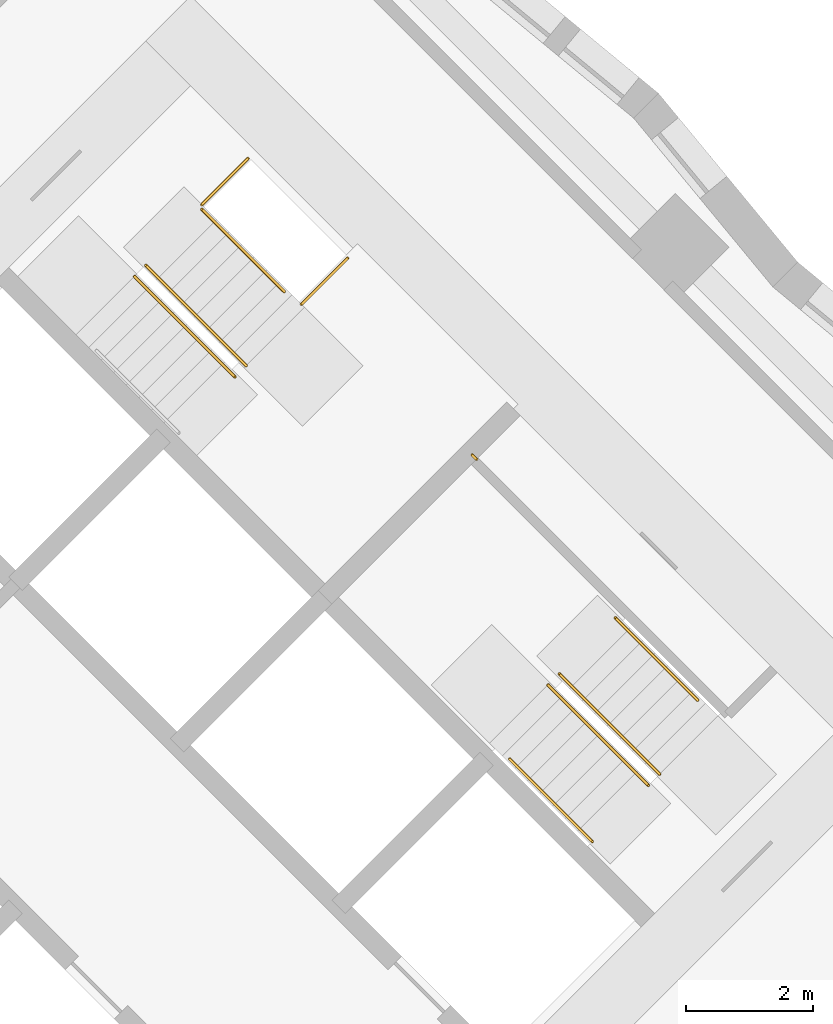
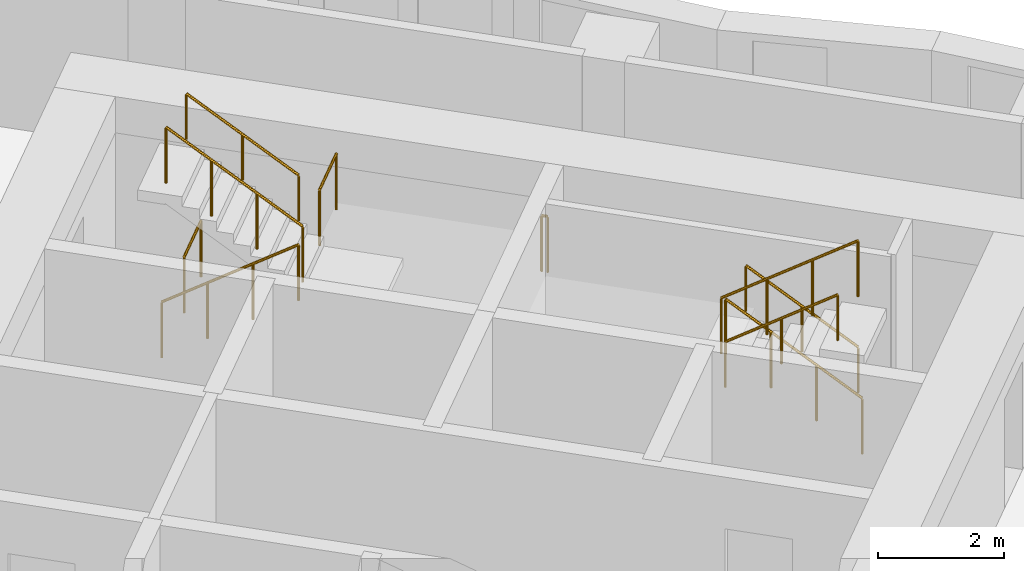
# One storey, part 13 of 13: 10 railings.
"""IFC4 building model written with IfcOpenShell, lengths in metres."""

import ifcopenshell
import ifcopenshell.guid

model = None  # the IFC model being written
_history = None  # IfcOwnerHistory: only IFC2X3 demands one
_inside = {}  # id of a spatial element -> (the spatial element, [elements in it])
_under = {}  # id of a project, library or spatial element -> (it, [spatial elements below it])
_declared = {}  # id of a project -> (the project, [libraries it declares])
_typed = {}  # id of a type object -> (the type object, [elements of that type])
_made_of = {}  # id of a material, layer set ... -> (it, [elements and type objects made of it])


def new_model(schema):
    """Start an empty IFC model of exactly this schema.

    Asked for "IFC4X3", IfcOpenShell would pick the latest addendum, in which some entities
    have other attributes; the version numbers below select the first issue.
    IFC2X3 requires an IfcOwnerHistory on every rooted entity: one is made here for all.
    """
    global model, _history
    if schema == "IFC4X3":
        model = ifcopenshell.file(schema_version=(4, 3, 0, 0))
    else:
        model = ifcopenshell.file(schema=schema)
    _inside.clear()
    _under.clear()
    _declared.clear()
    _typed.clear()
    _made_of.clear()
    _history = None
    if model.schema == "IFC2X3":
        org = make("IfcOrganization", Name="unknown")
        user = make(
            "IfcPersonAndOrganization",
            ThePerson=make("IfcPerson", FamilyName="unknown"),
            TheOrganization=org,
        )
        app = make(
            "IfcApplication",
            ApplicationDeveloper=org,
            Version="unknown",
            ApplicationFullName="unknown",
            ApplicationIdentifier="unknown",
        )
        _history = make(
            "IfcOwnerHistory",
            OwningUser=user,
            OwningApplication=app,
            ChangeAction="ADDED",
            CreationDate=0,
        )
    return model


def make(cls, **values):
    """One entity of the class cls with the attributes given. An attribute that is None is left unset."""
    return model.create_entity(
        cls, **{name: value for name, value in values.items() if value is not None}
    )


def rooted(cls, **values):
    """An entity with a GlobalId (a new one), such as an element, a storey or a relation."""
    return make(cls, GlobalId=ifcopenshell.guid.new(), OwnerHistory=_history, **values)


def si_unit(unit_type, name, prefix=None):
    """IfcSIUnit, for example si_unit("LENGTHUNIT", "METRE", prefix="MILLI")."""
    return make("IfcSIUnit", UnitType=unit_type, Prefix=prefix, Name=name)


def assignment(units):
    """IfcUnitAssignment: the units of a project."""
    return None if units is None else make("IfcUnitAssignment", Units=units)


def point(xyz):
    """IfcCartesianPoint."""
    return None if xyz is None else make("IfcCartesianPoint", Coordinates=xyz)


def direction(xyz):
    """IfcDirection."""
    return None if xyz is None else make("IfcDirection", DirectionRatios=xyz)


def frame(location, z_axis=None, x_axis=None):
    """IfcAxis2Placement3D, a coordinate frame: its origin and axes. An axis left out is left unset."""
    return make(
        "IfcAxis2Placement3D",
        Location=point(location),
        Axis=direction(z_axis),
        RefDirection=direction(x_axis),
    )


def frame_2d(location, x_axis=None):
    """IfcAxis2Placement2D, a coordinate frame in the plane: its origin and x axis."""
    return make(
        "IfcAxis2Placement2D", Location=point(location), RefDirection=direction(x_axis)
    )


def origin():
    """The frame at (0, 0, 0) with its axes left unset."""
    return frame((0.0, 0.0, 0.0))


def origin_2d():
    """The frame at (0, 0) in the plane with its x axis left unset."""
    return frame_2d((0.0, 0.0))


def place(relative_to, where):
    """IfcLocalPlacement: puts the frame where relative to a parent placement (None: the world)."""
    return make(
        "IfcLocalPlacement", PlacementRelTo=relative_to, RelativePlacement=where
    )


def context(
    kind, dimensions, precision=None, world=None, true_north=None, identifier=None
):
    """IfcGeometricRepresentationContext, for example the 3D "Model" context."""
    return make(
        "IfcGeometricRepresentationContext",
        ContextIdentifier=identifier,
        ContextType=kind,
        CoordinateSpaceDimension=dimensions,
        Precision=precision,
        WorldCoordinateSystem=world,
        TrueNorth=true_north,
    )


def subcontext(parent, identifier, kind, view, scale=None):
    """IfcGeometricRepresentationSubContext, for example "Body" below "Model"."""
    return make(
        "IfcGeometricRepresentationSubContext",
        ContextIdentifier=identifier,
        ContextType=kind,
        ParentContext=parent,
        TargetScale=scale,
        TargetView=view,
    )


def project(units=None, contexts=None):
    """IfcProject with its units and contexts."""
    return rooted(
        "IfcProject",
        Name="project",
        RepresentationContexts=contexts,
        UnitsInContext=assignment(units),
    )


def spatial(cls, under=None, at=None, **own):
    """A site, building, storey or space (cls), placed at a placement, below another one or the project."""
    s = rooted(cls, ObjectPlacement=at, **own)
    if under is not None:
        _under.setdefault(under.id(), (under, []))[1].append(s)
    return s


def profile(cls, at=None, kind="AREA", **sizes):
    """A parametric profile (cls). Its sizes go by their IFC names, for example OverallWidth=200.0."""
    return make(cls, ProfileType=kind, Position=at, **sizes)


def circle(**sizes):
    """IfcCircleProfileDef."""
    return profile("IfcCircleProfileDef", **sizes)


def extrude(swept, where, along, depth):
    """IfcExtrudedAreaSolid: the profile swept, set in the frame where, extruded along a direction by depth."""
    return make(
        "IfcExtrudedAreaSolid",
        SweptArea=swept,
        Position=where,
        ExtrudedDirection=direction(along),
        Depth=depth,
    )


def shape(context_of_items, identifier, shape_type, items):
    """IfcShapeRepresentation: the items that make up one representation, for example the "Body"."""
    return make(
        "IfcShapeRepresentation",
        ContextOfItems=context_of_items,
        RepresentationIdentifier=identifier,
        RepresentationType=shape_type,
        Items=items,
    )


def material(Name=None, Category=None):
    """IfcMaterial."""
    return make("IfcMaterial", Name=Name, Category=Category)


def made_of(thing, what):
    """Note that an element or type object is made of a material, layer set ...; save() writes the relation."""
    if what is not None:
        _made_of.setdefault(what.id(), (what, []))[1].append(thing)
    return thing


def type_object(cls, material=None, **own):
    """A type object (cls), such as IfcWallType, which elements share."""
    return made_of(rooted(cls, **own), material)


def element(
    cls,
    number,
    at=None,
    inside=None,
    cuts=None,
    type_object=None,
    material=None,
    context=None,
    identifier="Body",
    shape_type=None,
    held_by="IfcProductDefinitionShape",
    body=None,
    shapes=None,
    **own,
):
    """One element of the class cls, such as IfcWall. Its Tag is "e" and its number.

    at: its placement. inside: the storey or other place that contains it. cuts: it is an
    opening in that element (IfcRelVoidsElement). A single representation is given by context,
    identifier, shape_type and body (its items); several are given by shapes. held_by: the class
    of the entity that holds the representations. save() writes the other relations.
    """
    e = rooted(cls, Tag="e%d" % number, ObjectPlacement=at, **own)
    if body is not None:
        shapes = [shape(context, identifier, shape_type, body)]
    if shapes is not None:
        e.Representation = make(held_by, Representations=shapes)
    if inside is not None:
        _inside.setdefault(inside.id(), (inside, []))[1].append(e)
    if cuts is not None:
        rooted(
            "IfcRelVoidsElement", RelatingBuildingElement=cuts, RelatedOpeningElement=e
        )
    if type_object is not None:
        _typed.setdefault(type_object.id(), (type_object, []))[1].append(e)
    return made_of(e, material)


def aggregate(whole, parts):
    """IfcRelAggregates: a whole, such as a stair, and the parts it consists of."""
    return rooted("IfcRelAggregates", RelatingObject=whole, RelatedObjects=parts)


def save(model, path):
    """Write the relations noted so far, then the file.

    IfcRelAggregates (storeys below a building ...), IfcRelContainedInSpatialStructure (elements
    in a storey), IfcRelDefinesByType, IfcRelAssociatesMaterial and IfcRelDeclares: one each for
    every whole, place, type object, material and project.
    """
    for whole, parts in _under.values():
        aggregate(whole, parts)
    for where, things in _inside.values():
        rooted(
            "IfcRelContainedInSpatialStructure",
            RelatedElements=things,
            RelatingStructure=where,
        )
    for kind, things in _typed.values():
        rooted("IfcRelDefinesByType", RelatedObjects=things, RelatingType=kind)
    for what, things in _made_of.values():
        rooted("IfcRelAssociatesMaterial", RelatedObjects=things, RelatingMaterial=what)
    for by, libraries in _declared.values():
        rooted("IfcRelDeclares", RelatingContext=by, RelatedDefinitions=libraries)
    model.write(path)


model = new_model("IFC4")

# Units and contexts
model_context = context("Model", 3, precision=1e-05, world=origin(), true_north=direction((0.0, 1.0)))
body_context = subcontext(model_context, "Body", "Model", "MODEL_VIEW")
ifc_project = project(units=[si_unit("LENGTHUNIT", "METRE"), si_unit("AREAUNIT", "SQUARE_METRE"), si_unit("VOLUMEUNIT", "CUBIC_METRE"), si_unit("PLANEANGLEUNIT", "RADIAN"), si_unit("MASSUNIT", "GRAM", prefix="KILO")], contexts=[model_context])

# Site, building, storey
site_placement = place(None, origin())
site = spatial("IfcSite", under=ifc_project, at=site_placement, CompositionType="ELEMENT")
building_placement = place(site_placement, origin())
building = spatial("IfcBuilding", under=site, at=building_placement, Name="Windrow Commons", CompositionType="ELEMENT")
storey_placement = place(building_placement, frame((0.0, 0.0, 30.4)))
storey = spatial("IfcBuildingStorey", under=building, at=storey_placement, Name="L07", CompositionType="ELEMENT", Elevation=30.4)

# Railings
ifc_material_1 = material(Name="Steel S355", Category="steel")
railing_type_1 = type_object("IfcRailingType", Name="Core stair guard 1100", PredefinedType="GUARDRAIL", material=ifc_material_1)
railing_1_placement = place(storey_placement, frame((85.9529, 56.2669, 0.1889)))
element("IfcRailing", 1, at=railing_1_placement, inside=storey, type_object=railing_type_1, Name="L07 ST-B1 stair guard 1", PredefinedType="GUARDRAIL", context=body_context, shape_type="SweptSolid", body=[
    extrude(circle(Radius=0.024, at=origin_2d()), frame((0.0, 0.0, 1.076), z_axis=(0.5861914914, -0.5861914914, 0.5592486664), x_axis=(0.7071067812, 0.7071067812, 0.0)), (0.0, 0.0, 1.0), 2.702),
    extrude(circle(Radius=0.021, at=origin_2d()), origin(), (0.0, 0.0, 1.0), 1.052),
    extrude(circle(Radius=0.021, at=origin_2d()), frame((0.528, -0.528, 0.5037)), (0.0, 0.0, 1.0), 1.052),
    extrude(circle(Radius=0.021, at=origin_2d()), frame((1.0559, -1.0559, 1.0074)), (0.0, 0.0, 1.0), 1.052),
    extrude(circle(Radius=0.021, at=origin_2d()), frame((1.5839, -1.5839, 1.5111)), (0.0, 0.0, 1.0), 1.052),
])
railing_2_placement = place(storey_placement, frame((87.7136, 54.8597, 1.8889)))
element("IfcRailing", 2, at=railing_2_placement, inside=storey, type_object=railing_type_1, Name="L07 ST-B1 stair guard 2", PredefinedType="GUARDRAIL", context=body_context, shape_type="SweptSolid", body=[
    extrude(circle(Radius=0.024, at=origin_2d()), frame((0.0, 0.0, 1.076), z_axis=(-0.5862030657, 0.5862030657, 0.5592244018), x_axis=(-0.7071067812, -0.7071067812, 0.0)), (0.0, 0.0, 1.0), 2.7021),
    extrude(circle(Radius=0.021, at=origin_2d()), origin(), (0.0, 0.0, 1.0), 1.052),
    extrude(circle(Radius=0.021, at=origin_2d()), frame((-0.528, 0.528, 0.5037)), (0.0, 0.0, 1.0), 1.052),
    extrude(circle(Radius=0.021, at=origin_2d()), frame((-1.056, 1.056, 1.0074)), (0.0, 0.0, 1.0), 1.052),
    extrude(circle(Radius=0.021, at=origin_2d()), frame((-1.584, 1.584, 1.5111)), (0.0, 0.0, 1.0), 1.052),
])
railing_3_placement = place(storey_placement, frame((87.0135, 57.3982, 0.0)))
element("IfcRailing", 3, at=railing_3_placement, inside=storey, type_object=railing_type_1, Name="L07 ST-B1 stair guard 3", PredefinedType="GUARDRAIL", context=body_context, shape_type="SweptSolid", body=[
    extrude(circle(Radius=0.024, at=origin_2d()), frame((0.0, 0.0, 1.076), z_axis=(0.7070582378, 0.7071553212, 0.0), x_axis=(-0.7071553212, 0.7070582378, 0.0)), (0.0, 0.0, 1.0), 1.03),
    extrude(circle(Radius=0.021, at=origin_2d()), origin(), (0.0, 0.0, 1.0), 1.052),
    extrude(circle(Radius=0.021, at=origin_2d()), frame((0.7283, 0.7284, 0.0)), (0.0, 0.0, 1.0), 1.052),
])
railing_4_placement = place(storey_placement, frame((88.5833, 55.8285, 1.7)))
element("IfcRailing", 4, at=railing_4_placement, inside=storey, type_object=railing_type_1, Name="L07 ST-B1 stair guard 4", PredefinedType="GUARDRAIL", context=body_context, shape_type="SweptSolid", body=[
    extrude(circle(Radius=0.024, at=origin_2d()), frame((0.0, 0.0, 1.076), z_axis=(0.7071067812, 0.7071067812, 0.0), x_axis=(-0.7071067812, 0.7071067812, 0.0)), (0.0, 0.0, 1.0), 1.03),
    extrude(circle(Radius=0.021, at=origin_2d()), origin(), (0.0, 0.0, 1.0), 1.052),
    extrude(circle(Radius=0.021, at=origin_2d()), frame((0.7283, 0.7283, 0.0)), (0.0, 0.0, 1.0), 1.052),
])
railing_5_placement = place(storey_placement, frame((94.2296, 48.4215, 0.1889)))
element("IfcRailing", 5, at=railing_5_placement, inside=storey, type_object=railing_type_1, Name="L07 ST-B2 stair guard 1", PredefinedType="GUARDRAIL", context=body_context, shape_type="SweptSolid", body=[
    extrude(circle(Radius=0.024, at=origin_2d()), frame((0.0, 0.0, 1.076), z_axis=(-0.5862157828, 0.5861787742, 0.5592365337), x_axis=(-0.7070844598, -0.7071291018, 0.0)), (0.0, 0.0, 1.0), 2.7021),
    extrude(circle(Radius=0.021, at=origin_2d()), origin(), (0.0, 0.0, 1.0), 1.052),
    extrude(circle(Radius=0.021, at=origin_2d()), frame((-0.528, 0.528, 0.5037)), (0.0, 0.0, 1.0), 1.052),
    extrude(circle(Radius=0.021, at=origin_2d()), frame((-1.056, 1.0559, 1.0074)), (0.0, 0.0, 1.0), 1.052),
    extrude(circle(Radius=0.021, at=origin_2d()), frame((-1.584, 1.5839, 1.5111)), (0.0, 0.0, 1.0), 1.052),
])
railing_6_placement = place(storey_placement, frame((92.4689, 49.8287, 1.8889)))
element("IfcRailing", 6, at=railing_6_placement, inside=storey, type_object=railing_type_1, Name="L07 ST-B2 stair guard 2", PredefinedType="GUARDRAIL", context=body_context, shape_type="SweptSolid", body=[
    extrude(circle(Radius=0.024, at=origin_2d()), frame((0.0, 0.0, 1.076), z_axis=(0.5861787742, -0.5862157828, 0.5592365337), x_axis=(0.7071291018, 0.7070844598, 0.0)), (0.0, 0.0, 1.0), 2.7021),
    extrude(circle(Radius=0.021, at=origin_2d()), origin(), (0.0, 0.0, 1.0), 1.052),
    extrude(circle(Radius=0.021, at=origin_2d()), frame((0.528, -0.528, 0.5037)), (0.0, 0.0, 1.0), 1.052),
    extrude(circle(Radius=0.021, at=origin_2d()), frame((1.0559, -1.056, 1.0074)), (0.0, 0.0, 1.0), 1.052),
    extrude(circle(Radius=0.021, at=origin_2d()), frame((1.5839, -1.584, 1.5111)), (0.0, 0.0, 1.0), 1.052),
])
railing_7_placement = place(storey_placement, frame((91.3446, 53.3854, 1.7)))
element("IfcRailing", 7, at=railing_7_placement, inside=storey, type_object=railing_type_1, Name="L07 ST-B2 stair guard 3", PredefinedType="GUARDRAIL", context=body_context, shape_type="SweptSolid", body=[
    extrude(circle(Radius=0.024, at=origin_2d()), frame((0.0, 0.0, 1.076), z_axis=(-0.7076063266, 0.7066068826, 0.0), x_axis=(-0.7066068826, -0.7076063266, 0.0)), (0.0, 0.0, 1.0), 0.1001),
    extrude(circle(Radius=0.021, at=origin_2d()), origin(), (0.0, 0.0, 1.0), 1.052),
    extrude(circle(Radius=0.021, at=origin_2d()), frame((-0.0708, 0.0707, 0.0)), (0.0, 0.0, 1.0), 1.052),
])
ifc_material_2 = material(Name="Steel S355", Category="steel")
railing_type_2 = type_object("IfcRailingType", Name="Core stair handrail 900", PredefinedType="HANDRAIL", material=ifc_material_2)
railing_8_placement = place(storey_placement, frame((88.3146, 56.0265, 2.1587)))
element("IfcRailing", 8, at=railing_8_placement, inside=storey, type_object=railing_type_2, Name="L07 ST-B1 stair handrail 2", PredefinedType="HANDRAIL", context=body_context, shape_type="SweptSolid", body=[
    extrude(circle(Radius=0.024, at=origin_2d()), frame((0.0, 0.0, 0.876), z_axis=(-0.586206706, 0.5861616513, 0.5592639952), x_axis=(-0.7070796062, -0.7071339551, 0.0)), (0.0, 0.0, 1.0), 2.2195),
    extrude(circle(Radius=0.021, at=origin_2d()), origin(), (0.0, 0.0, 1.0), 0.852),
    extrude(circle(Radius=0.021, at=origin_2d()), frame((-0.6506, 0.6505, 0.6206)), (0.0, 0.0, 1.0), 0.852),
    extrude(circle(Radius=0.021, at=origin_2d()), frame((-1.3011, 1.301, 1.2413)), (0.0, 0.0, 1.0), 0.852),
])
railing_9_placement = place(storey_placement, frame((94.8306, 49.5883, 0.4587)))
element("IfcRailing", 9, at=railing_9_placement, inside=storey, type_object=railing_type_2, Name="L07 ST-B2 stair handrail 1", PredefinedType="HANDRAIL", context=body_context, shape_type="SweptSolid", body=[
    extrude(circle(Radius=0.024, at=origin_2d()), frame((0.0, 0.0, 0.876), z_axis=(-0.586206706, 0.5861616513, 0.5592639952), x_axis=(-0.7070796062, -0.7071339551, 0.0)), (0.0, 0.0, 1.0), 2.2195),
    extrude(circle(Radius=0.021, at=origin_2d()), origin(), (0.0, 0.0, 1.0), 0.852),
    extrude(circle(Radius=0.021, at=origin_2d()), frame((-0.6506, 0.6505, 0.6207)), (0.0, 0.0, 1.0), 0.852),
    extrude(circle(Radius=0.021, at=origin_2d()), frame((-1.3011, 1.301, 1.2413)), (0.0, 0.0, 1.0), 0.852),
])
railing_10_placement = place(storey_placement, frame((91.8678, 48.6619, 2.1587)))
element("IfcRailing", 10, at=railing_10_placement, inside=storey, type_object=railing_type_2, Name="L07 ST-B2 stair handrail 2", PredefinedType="HANDRAIL", context=body_context, shape_type="SweptSolid", body=[
    extrude(circle(Radius=0.024, at=origin_2d()), frame((0.0, 0.0, 0.876), z_axis=(0.586206706, -0.5861616513, 0.5592639952), x_axis=(0.7070796062, 0.7071339551, 0.0)), (0.0, 0.0, 1.0), 2.2195),
    extrude(circle(Radius=0.021, at=origin_2d()), origin(), (0.0, 0.0, 1.0), 0.852),
    extrude(circle(Radius=0.021, at=origin_2d()), frame((0.6505, -0.6505, 0.6206)), (0.0, 0.0, 1.0), 0.852),
    extrude(circle(Radius=0.021, at=origin_2d()), frame((1.3011, -1.301, 1.2413)), (0.0, 0.0, 1.0), 0.852),
])

save(model, "model.ifc")
